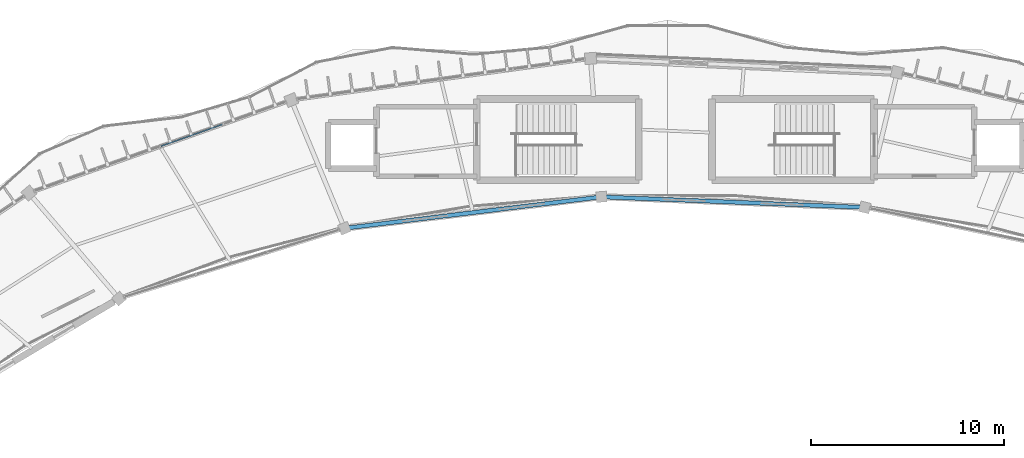
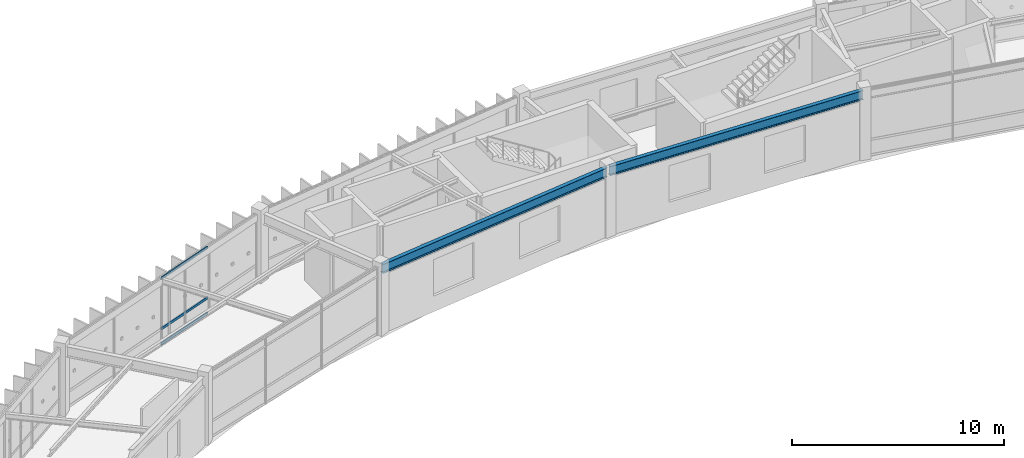
# One storey, part 40 of 83: 3 members, 2 beams, 1 element without a shape of its own.
"""IFC4 building model written with IfcOpenShell, lengths in metres."""

from ifc_helpers import new_model, si_unit, direction, frame, origin, origin_2d, place, context, subcontext, project, spatial, hollow_rectangle, i_section, extrude, material, material_profile, profile_set, type_object, element, aggregate, save


model = new_model("IFC4")

# Units and contexts
model_context = context("Model", 3, precision=1e-05, world=origin(), true_north=direction((0.0, 1.0)))
body_context = subcontext(model_context, "Body", "Model", "MODEL_VIEW")
ifc_project = project(units=[si_unit("LENGTHUNIT", "METRE"), si_unit("AREAUNIT", "SQUARE_METRE"), si_unit("VOLUMEUNIT", "CUBIC_METRE"), si_unit("PLANEANGLEUNIT", "RADIAN"), si_unit("MASSUNIT", "GRAM", prefix="KILO"), si_unit("THERMODYNAMICTEMPERATUREUNIT", "KELVIN"), si_unit("POWERUNIT", "WATT")], contexts=[model_context])

# Site, building, storey
site_placement = place(None, origin())
site = spatial("IfcSite", under=ifc_project, at=site_placement, CompositionType="ELEMENT")
building_placement = place(site_placement, origin())
building = spatial("IfcBuilding", under=site, at=building_placement, Name="Darbajah Civic Hall", CompositionType="ELEMENT")
storey_placement = place(building_placement, frame((0.0, 0.0, 18.0)))
storey = spatial("IfcBuildingStorey", under=building, at=storey_placement, Name="L04", CompositionType="ELEMENT", Elevation=18.0)

# Curtain wall, members
ifc_material_1 = material(Name="Anodised Bronze Aluminium and Low-E Glazing", Category="aluminium")
curtain_wall_type = type_object("IfcCurtainWallType", Name="Unitised Curtain Wall CW-57 13800x3900", PredefinedType="USERDEFINED", material=ifc_material_1)
curtain_wall_placement = place(storey_placement, origin())
curtain_wall = element("IfcCurtainWall", 1, at=curtain_wall_placement, inside=storey, type_object=curtain_wall_type, Name="L04 unitised curtain wall CW-V1O-L04-06", ObjectType="UNITISED CURTAIN WALL", PredefinedType="USERDEFINED")
ifc_material_2 = material(Name="Anodised Bronze Aluminium", Category="aluminium")
ifc_material_profile_1 = material_profile(ifc_material_2, hollow_rectangle(XDim=0.06494140625, YDim=0.139892578125, WallThickness=0.00341796875, at=origin_2d()), Name="ALU TRANSOM 65x140")
ifc_profile_set_1 = profile_set([ifc_material_profile_1], Name="Anodised Bronze Aluminium")
member_type = type_object("IfcMemberType", Name="ALU TRANSOM 65x140", PredefinedType="USERDEFINED", material=ifc_profile_set_1)
member_1_placement = place(storey_placement, frame((66.004150390625, 115.785888671875, 0.070068359375), z_axis=(-0.942537758494, -0.334099646533, 0.0), x_axis=(0.334099646533, -0.942537758494, 0.0)))
member_1 = element("IfcMember", 2, at=member_1_placement, type_object=member_type, Name="CW-V1O-L04-06 transom 2.1", ObjectType="TRANSOM", PredefinedType="USERDEFINED", context=body_context, shape_type="SweptSolid", body=[
    extrude(hollow_rectangle(XDim=0.06494140625, YDim=0.139892578125, WallThickness=0.00341796875, at=origin_2d()), origin(), (0.0, 0.0, 1.0), 3.382568359375),
])
member_2_placement = place(storey_placement, frame((66.004150390625, 115.785888671875, 0.949951171875), z_axis=(-0.942537758494, -0.334099646533, 0.0), x_axis=(0.334099646533, -0.942537758494, 0.0)))
member_2 = element("IfcMember", 3, at=member_2_placement, type_object=member_type, Name="CW-V1O-L04-06 transom 2.2", ObjectType="TRANSOM", PredefinedType="USERDEFINED", context=body_context, shape_type="SweptSolid", body=[
    extrude(hollow_rectangle(XDim=0.06494140625, YDim=0.139892578125, WallThickness=0.00341796875, at=origin_2d()), origin(), (0.0, 0.0, 1.0), 3.382568359375),
])
member_3_placement = place(storey_placement, frame((66.004150390625, 115.785888671875, 3.85009765625), z_axis=(-0.942537758494, -0.334099646533, 0.0), x_axis=(0.334099646533, -0.942537758494, 0.0)))
member_3 = element("IfcMember", 4, at=member_3_placement, type_object=member_type, Name="CW-V1O-L04-06 transom 2.3", ObjectType="TRANSOM", PredefinedType="USERDEFINED", context=body_context, shape_type="SweptSolid", body=[
    extrude(hollow_rectangle(XDim=0.06494140625, YDim=0.139892578125, WallThickness=0.00341796875, at=origin_2d()), origin(), (0.0, 0.0, 1.0), 3.382568359375),
])
aggregate(curtain_wall, [member_1, member_2, member_3])

# Beams
ifc_material_3 = material(Name="Steel S355JR", Category="steel")
ifc_material_profile_2 = material_profile(ifc_material_3, i_section(OverallWidth=0.209228515625, OverallDepth=0.533203125, WebThickness=0.010009765625, FlangeThickness=0.015625, FilletRadius=0.0126953125, at=origin_2d()), Name="UB 533x210x92")
ifc_profile_set_2 = profile_set([ifc_material_profile_2], Name="Steel S355JR")
beam_type = type_object("IfcBeamType", Name="UB 533x210x92", PredefinedType="BEAM", material=ifc_profile_set_2)
beam_1_placement = place(storey_placement, frame((99.2451171875, 111.487060546875, 3.653564453125), z_axis=(-0.999198156642, 0.040038028952, 0.0), x_axis=(-0.040038028952, -0.999198156642, 0.0)))
element("IfcBeam", 5, at=beam_1_placement, inside=storey, type_object=beam_type, Name="L04 beam SB-533", PredefinedType="BEAM", context=body_context, shape_type="SweptSolid", body=[
    extrude(i_section(OverallWidth=0.209228515625, OverallDepth=0.533203125, WebThickness=0.010009765625, FlangeThickness=0.015625, FilletRadius=0.0126953125, at=origin_2d()), origin(), (0.0, 0.0, 1.0), 13.512451171875),
])
beam_2_placement = place(storey_placement, frame((85.583984375, 112.021484375, 3.653564453125), z_axis=(-0.992611744559, -0.121333938216, 0.0), x_axis=(0.121333938216, -0.992611744559, 0.0)))
element("IfcBeam", 6, at=beam_2_placement, inside=storey, type_object=beam_type, Name="L04 beam SB-533", PredefinedType="BEAM", context=body_context, shape_type="SweptSolid", body=[
    extrude(i_section(OverallWidth=0.209228515625, OverallDepth=0.533203125, WebThickness=0.010009765625, FlangeThickness=0.015625, FilletRadius=0.0126953125, at=origin_2d()), origin(), (0.0, 0.0, 1.0), 13.263916015625),
])

save(model, "model.ifc")
